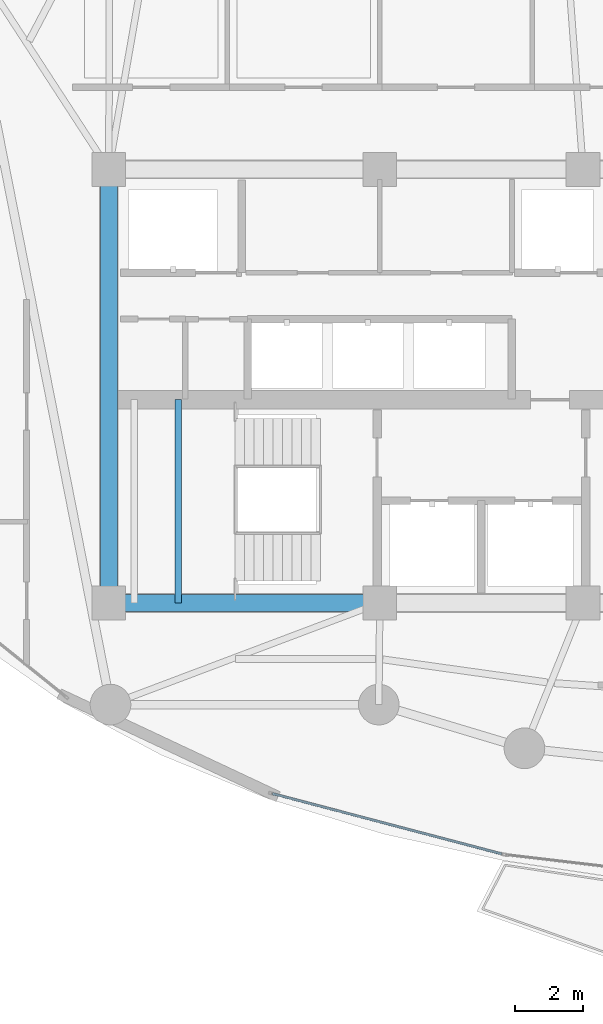
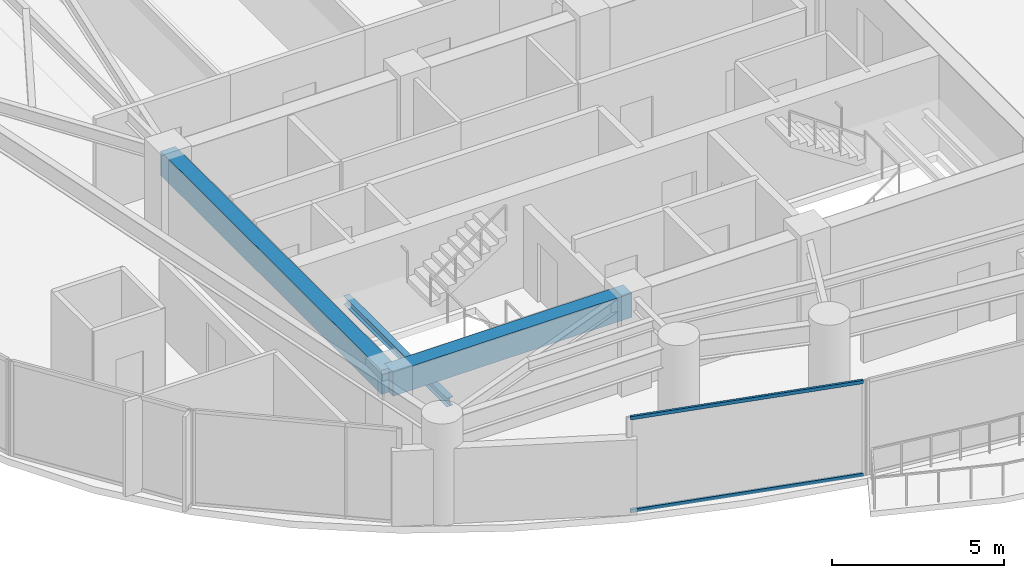
# One storey, part 4 of 34: 3 beams, 2 members, 1 element without a shape of its own.
"""IFC4 building model written with IfcOpenShell, lengths in metres."""

import ifcopenshell
import ifcopenshell.guid

model = None  # the IFC model being written
_history = None  # IfcOwnerHistory: only IFC2X3 demands one
_inside = {}  # id of a spatial element -> (the spatial element, [elements in it])
_under = {}  # id of a project, library or spatial element -> (it, [spatial elements below it])
_declared = {}  # id of a project -> (the project, [libraries it declares])
_typed = {}  # id of a type object -> (the type object, [elements of that type])
_made_of = {}  # id of a material, layer set ... -> (it, [elements and type objects made of it])


def new_model(schema):
    """Start an empty IFC model of exactly this schema.

    Asked for "IFC4X3", IfcOpenShell would pick the latest addendum, in which some entities
    have other attributes; the version numbers below select the first issue.
    IFC2X3 requires an IfcOwnerHistory on every rooted entity: one is made here for all.
    """
    global model, _history
    if schema == "IFC4X3":
        model = ifcopenshell.file(schema_version=(4, 3, 0, 0))
    else:
        model = ifcopenshell.file(schema=schema)
    _inside.clear()
    _under.clear()
    _declared.clear()
    _typed.clear()
    _made_of.clear()
    _history = None
    if model.schema == "IFC2X3":
        org = make("IfcOrganization", Name="unknown")
        user = make(
            "IfcPersonAndOrganization",
            ThePerson=make("IfcPerson", FamilyName="unknown"),
            TheOrganization=org,
        )
        app = make(
            "IfcApplication",
            ApplicationDeveloper=org,
            Version="unknown",
            ApplicationFullName="unknown",
            ApplicationIdentifier="unknown",
        )
        _history = make(
            "IfcOwnerHistory",
            OwningUser=user,
            OwningApplication=app,
            ChangeAction="ADDED",
            CreationDate=0,
        )
    return model


def make(cls, **values):
    """One entity of the class cls with the attributes given. An attribute that is None is left unset."""
    return model.create_entity(
        cls, **{name: value for name, value in values.items() if value is not None}
    )


def rooted(cls, **values):
    """An entity with a GlobalId (a new one), such as an element, a storey or a relation."""
    return make(cls, GlobalId=ifcopenshell.guid.new(), OwnerHistory=_history, **values)


def si_unit(unit_type, name, prefix=None):
    """IfcSIUnit, for example si_unit("LENGTHUNIT", "METRE", prefix="MILLI")."""
    return make("IfcSIUnit", UnitType=unit_type, Prefix=prefix, Name=name)


def assignment(units):
    """IfcUnitAssignment: the units of a project."""
    return None if units is None else make("IfcUnitAssignment", Units=units)


def point(xyz):
    """IfcCartesianPoint."""
    return None if xyz is None else make("IfcCartesianPoint", Coordinates=xyz)


def direction(xyz):
    """IfcDirection."""
    return None if xyz is None else make("IfcDirection", DirectionRatios=xyz)


def frame(location, z_axis=None, x_axis=None):
    """IfcAxis2Placement3D, a coordinate frame: its origin and axes. An axis left out is left unset."""
    return make(
        "IfcAxis2Placement3D",
        Location=point(location),
        Axis=direction(z_axis),
        RefDirection=direction(x_axis),
    )


def frame_2d(location, x_axis=None):
    """IfcAxis2Placement2D, a coordinate frame in the plane: its origin and x axis."""
    return make(
        "IfcAxis2Placement2D", Location=point(location), RefDirection=direction(x_axis)
    )


def origin():
    """The frame at (0, 0, 0) with its axes left unset."""
    return frame((0.0, 0.0, 0.0))


def origin_2d():
    """The frame at (0, 0) in the plane with its x axis left unset."""
    return frame_2d((0.0, 0.0))


def place(relative_to, where):
    """IfcLocalPlacement: puts the frame where relative to a parent placement (None: the world)."""
    return make(
        "IfcLocalPlacement", PlacementRelTo=relative_to, RelativePlacement=where
    )


def context(
    kind, dimensions, precision=None, world=None, true_north=None, identifier=None
):
    """IfcGeometricRepresentationContext, for example the 3D "Model" context."""
    return make(
        "IfcGeometricRepresentationContext",
        ContextIdentifier=identifier,
        ContextType=kind,
        CoordinateSpaceDimension=dimensions,
        Precision=precision,
        WorldCoordinateSystem=world,
        TrueNorth=true_north,
    )


def subcontext(parent, identifier, kind, view, scale=None):
    """IfcGeometricRepresentationSubContext, for example "Body" below "Model"."""
    return make(
        "IfcGeometricRepresentationSubContext",
        ContextIdentifier=identifier,
        ContextType=kind,
        ParentContext=parent,
        TargetScale=scale,
        TargetView=view,
    )


def project(units=None, contexts=None):
    """IfcProject with its units and contexts."""
    return rooted(
        "IfcProject",
        Name="project",
        RepresentationContexts=contexts,
        UnitsInContext=assignment(units),
    )


def spatial(cls, under=None, at=None, **own):
    """A site, building, storey or space (cls), placed at a placement, below another one or the project."""
    s = rooted(cls, ObjectPlacement=at, **own)
    if under is not None:
        _under.setdefault(under.id(), (under, []))[1].append(s)
    return s


def profile(cls, at=None, kind="AREA", **sizes):
    """A parametric profile (cls). Its sizes go by their IFC names, for example OverallWidth=200.0."""
    return make(cls, ProfileType=kind, Position=at, **sizes)


def rectangle(**sizes):
    """IfcRectangleProfileDef."""
    return profile("IfcRectangleProfileDef", **sizes)


def hollow_rectangle(**sizes):
    """IfcRectangleHollowProfileDef."""
    return profile("IfcRectangleHollowProfileDef", **sizes)


def i_section(**sizes):
    """IfcIShapeProfileDef."""
    return profile("IfcIShapeProfileDef", **sizes)


def extrude(swept, where, along, depth):
    """IfcExtrudedAreaSolid: the profile swept, set in the frame where, extruded along a direction by depth."""
    return make(
        "IfcExtrudedAreaSolid",
        SweptArea=swept,
        Position=where,
        ExtrudedDirection=direction(along),
        Depth=depth,
    )


def shape(context_of_items, identifier, shape_type, items):
    """IfcShapeRepresentation: the items that make up one representation, for example the "Body"."""
    return make(
        "IfcShapeRepresentation",
        ContextOfItems=context_of_items,
        RepresentationIdentifier=identifier,
        RepresentationType=shape_type,
        Items=items,
    )


def material(Name=None, Category=None):
    """IfcMaterial."""
    return make("IfcMaterial", Name=Name, Category=Category)


def layer(
    of_material, thickness, ventilated=None, Name=None, Category=None, Priority=None
):
    """IfcMaterialLayer: one layer of a wall or slab, of a material (None: an air gap)."""
    return make(
        "IfcMaterialLayer",
        Material=of_material,
        LayerThickness=thickness,
        IsVentilated=ventilated,
        Name=Name,
        Category=Category,
        Priority=Priority,
    )


def layer_set(layers, Name=None):
    """IfcMaterialLayerSet."""
    return make("IfcMaterialLayerSet", MaterialLayers=layers, LayerSetName=Name)


def material_profile(
    of_material, cross_section, Name=None, Category=None, Priority=None
):
    """IfcMaterialProfile: a cross section and its material."""
    return make(
        "IfcMaterialProfile",
        Name=Name,
        Material=of_material,
        Profile=cross_section,
        Priority=Priority,
        Category=Category,
    )


def profile_set(profiles, Name=None, composite=None):
    """IfcMaterialProfileSet."""
    return make(
        "IfcMaterialProfileSet",
        Name=Name,
        MaterialProfiles=profiles,
        CompositeProfile=composite,
    )


def made_of(thing, what):
    """Note that an element or type object is made of a material, layer set ...; save() writes the relation."""
    if what is not None:
        _made_of.setdefault(what.id(), (what, []))[1].append(thing)
    return thing


def type_object(cls, material=None, **own):
    """A type object (cls), such as IfcWallType, which elements share."""
    return made_of(rooted(cls, **own), material)


def element(
    cls,
    number,
    at=None,
    inside=None,
    cuts=None,
    type_object=None,
    material=None,
    context=None,
    identifier="Body",
    shape_type=None,
    held_by="IfcProductDefinitionShape",
    body=None,
    shapes=None,
    **own,
):
    """One element of the class cls, such as IfcWall. Its Tag is "e" and its number.

    at: its placement. inside: the storey or other place that contains it. cuts: it is an
    opening in that element (IfcRelVoidsElement). A single representation is given by context,
    identifier, shape_type and body (its items); several are given by shapes. held_by: the class
    of the entity that holds the representations. save() writes the other relations.
    """
    e = rooted(cls, Tag="e%d" % number, ObjectPlacement=at, **own)
    if body is not None:
        shapes = [shape(context, identifier, shape_type, body)]
    if shapes is not None:
        e.Representation = make(held_by, Representations=shapes)
    if inside is not None:
        _inside.setdefault(inside.id(), (inside, []))[1].append(e)
    if cuts is not None:
        rooted(
            "IfcRelVoidsElement", RelatingBuildingElement=cuts, RelatedOpeningElement=e
        )
    if type_object is not None:
        _typed.setdefault(type_object.id(), (type_object, []))[1].append(e)
    return made_of(e, material)


def aggregate(whole, parts):
    """IfcRelAggregates: a whole, such as a stair, and the parts it consists of."""
    return rooted("IfcRelAggregates", RelatingObject=whole, RelatedObjects=parts)


def save(model, path):
    """Write the relations noted so far, then the file.

    IfcRelAggregates (storeys below a building ...), IfcRelContainedInSpatialStructure (elements
    in a storey), IfcRelDefinesByType, IfcRelAssociatesMaterial and IfcRelDeclares: one each for
    every whole, place, type object, material and project.
    """
    for whole, parts in _under.values():
        aggregate(whole, parts)
    for where, things in _inside.values():
        rooted(
            "IfcRelContainedInSpatialStructure",
            RelatedElements=things,
            RelatingStructure=where,
        )
    for kind, things in _typed.values():
        rooted("IfcRelDefinesByType", RelatedObjects=things, RelatingType=kind)
    for what, things in _made_of.values():
        rooted("IfcRelAssociatesMaterial", RelatedObjects=things, RelatingMaterial=what)
    for by, libraries in _declared.values():
        rooted("IfcRelDeclares", RelatingContext=by, RelatedDefinitions=libraries)
    model.write(path)


model = new_model("IFC4")

# Units and contexts
model_context = context("Model", 3, precision=1e-05, world=origin(), true_north=direction((0.0, 1.0)))
body_context = subcontext(model_context, "Body", "Model", "MODEL_VIEW")
ifc_project = project(units=[si_unit("LENGTHUNIT", "METRE"), si_unit("AREAUNIT", "SQUARE_METRE"), si_unit("VOLUMEUNIT", "CUBIC_METRE"), si_unit("PLANEANGLEUNIT", "RADIAN"), si_unit("MASSUNIT", "GRAM", prefix="KILO")], contexts=[model_context])

# Site, building, storey
site_placement = place(None, origin())
site = spatial("IfcSite", under=ifc_project, at=site_placement, CompositionType="ELEMENT")
building_placement = place(site_placement, origin())
building = spatial("IfcBuilding", under=site, at=building_placement, Name="Kazevale Care Tower and Concert Hall", CompositionType="ELEMENT")
storey_placement = place(building_placement, frame((0.0, 0.0, 171.0)))
storey = spatial("IfcBuildingStorey", under=building, at=storey_placement, Name="L45", CompositionType="ELEMENT", Elevation=171.0)

# Curtain wall, members
ifc_material_1 = material(Name="Aluminium 6063-T6 and Low-E Glass", Category="aluminium")
ifc_layer = layer(ifc_material_1, 0.179931640625)
ifc_layer_set = layer_set([ifc_layer], Name="Aluminium 6063-T6 and Low-E Glass")
curtain_wall_type = type_object("IfcCurtainWallType", Name="Sheltered Concave Balcony Curtain Wall CW-5", PredefinedType="NOTDEFINED", material=ifc_layer_set)
curtain_wall_placement = place(storey_placement, origin())
curtain_wall = element("IfcCurtainWall", 1, at=curtain_wall_placement, inside=storey, type_object=curtain_wall_type, Name="cw:L45:f08", PredefinedType="NOTDEFINED")
ifc_material_2 = material(Name="Aluminium 6063-T6", Category="aluminium")
ifc_material_profile_1 = material_profile(ifc_material_2, hollow_rectangle(XDim=0.074951171875, YDim=0.1201171875, WallThickness=0.00390625, at=origin_2d()), Name="ALU75x120x4")
ifc_profile_set_1 = profile_set([ifc_material_profile_1], Name="Aluminium 6063-T6")
member_type = type_object("IfcMemberType", Name="CW-5 Transom ALU75x120x4", PredefinedType="USERDEFINED", material=ifc_profile_set_1)
member_1_placement = place(storey_placement, frame((33.598388671875, 16.193115234375, 0.03759765625), z_axis=(-0.967142752699, 0.254233939321, 0.0), x_axis=(-0.254233939321, -0.967142752699, 0.0)))
member_1 = element("IfcMember", 2, at=member_1_placement, type_object=member_type, Name="CW-5 transom 1.1", ObjectType="TRANSOM", PredefinedType="USERDEFINED", context=body_context, shape_type="SweptSolid", body=[
    extrude(hollow_rectangle(XDim=0.074951171875, YDim=0.1201171875, WallThickness=0.00390625, at=origin_2d()), origin(), (0.0, 0.0, 1.0), 6.996826171875),
])
member_2_placement = place(storey_placement, frame((33.598388671875, 16.193115234375, 3.322509765625), z_axis=(-0.967142752699, 0.254233939321, 0.0), x_axis=(-0.254233939321, -0.967142752699, 0.0)))
member_2 = element("IfcMember", 3, at=member_2_placement, type_object=member_type, Name="CW-5 transom 1.2", ObjectType="TRANSOM", PredefinedType="USERDEFINED", context=body_context, shape_type="SweptSolid", body=[
    extrude(hollow_rectangle(XDim=0.074951171875, YDim=0.1201171875, WallThickness=0.00390625, at=origin_2d()), origin(), (0.0, 0.0, 1.0), 6.996826171875),
])
aggregate(curtain_wall, [member_1, member_2])

# Beams
ifc_material_3 = material(Name="Concrete C60", Category="concrete")
ifc_material_profile_2 = material_profile(ifc_material_3, rectangle(XDim=0.5, YDim=0.85009765625, at=origin_2d()), Name="RC-B500x850")
ifc_profile_set_2 = profile_set([ifc_material_profile_2], Name="Concrete C60")
beam_type_1 = type_object("IfcBeamType", Name="Core Coupling Beam RC500x850", PredefinedType="LINTEL", material=ifc_profile_set_2)
beam_1_placement = place(storey_placement, frame((22.0, 23.60009765625, 2.93505859375), z_axis=(1.0, 0.0, 0.0), x_axis=(0.0, 1.0, 0.0)))
element("IfcBeam", 4, at=beam_1_placement, inside=storey, type_object=beam_type_1, Name="beam:L45:coretie:1", PredefinedType="LINTEL", context=body_context, shape_type="SweptSolid", body=[
    extrude(rectangle(XDim=0.5, YDim=0.85009765625, at=origin_2d()), origin(), (0.0, 0.0, 1.0), 8.0),
])
beam_2_placement = place(storey_placement, frame((22.0, 36.39990234375, 2.93505859375), z_axis=(0.0, -1.0, 0.0), x_axis=(1.0, 0.0, 0.0)))
element("IfcBeam", 5, at=beam_2_placement, inside=storey, type_object=beam_type_1, Name="beam:L45:coretie:8", PredefinedType="LINTEL", context=body_context, shape_type="SweptSolid", body=[
    extrude(rectangle(XDim=0.5, YDim=0.85009765625, at=origin_2d()), origin(), (0.0, 0.0, 1.0), 12.7998046875),
])
ifc_material_4 = material(Name="Steel ASTM A572 Gr 50", Category="steel")
ifc_material_profile_3 = material_profile(ifc_material_4, i_section(OverallWidth=0.202880859375, OverallDepth=0.302978515625, WebThickness=0.007568359375, FlangeThickness=0.01318359375, at=origin_2d()), Name="W310x60")
ifc_profile_set_3 = profile_set([ifc_material_profile_3], Name="Steel ASTM A572 Gr 50")
beam_type_2 = type_object("IfcBeamType", Name="Stair & Balcony Trimmer W310x60", PredefinedType="BEAM", material=ifc_profile_set_3)
beam_3_placement = place(storey_placement, frame((24.050048828125, 23.60009765625, 1.448486328125), z_axis=(0.0, 1.0, 0.0), x_axis=(-1.0, 0.0, 0.0)))
element("IfcBeam", 6, at=beam_3_placement, inside=storey, type_object=beam_type_2, Name="beam:L45:sttrim:ST1b", PredefinedType="BEAM", context=body_context, shape_type="SweptSolid", body=[
    extrude(i_section(OverallWidth=0.202880859375, OverallDepth=0.302978515625, WebThickness=0.007568359375, FlangeThickness=0.01318359375, at=origin_2d()), origin(), (0.0, 0.0, 1.0), 6.0),
])

save(model, "model.ifc")
